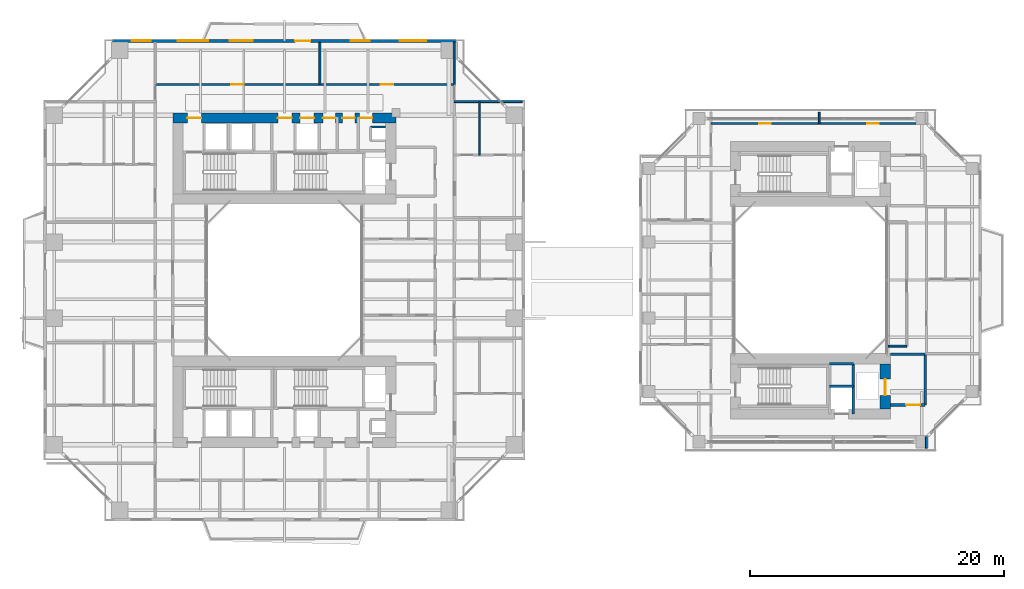
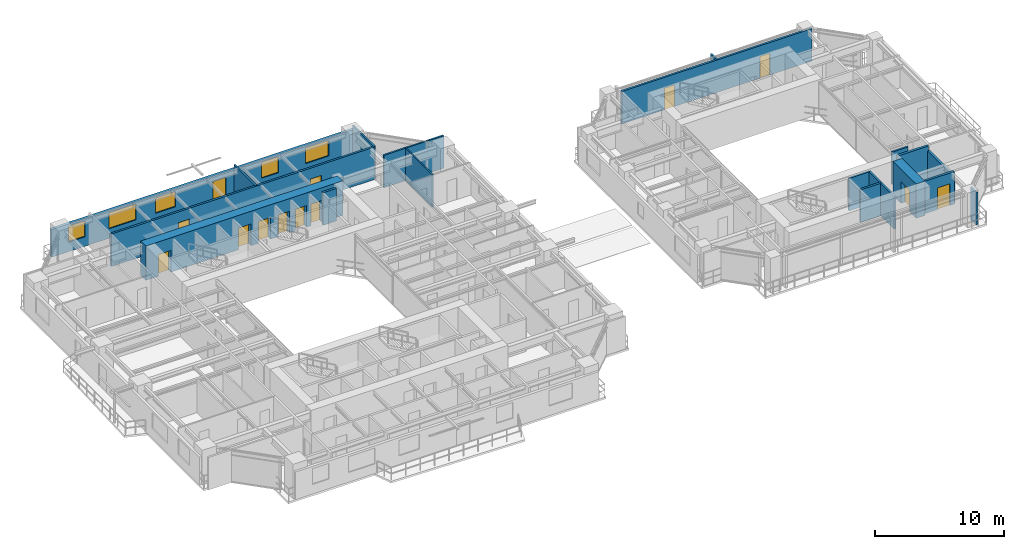
# One storey, part 16 of 23: 19 walls, 13 doors, 5 windows, 18 openings.
"""IFC4 building model written with IfcOpenShell, lengths in metres."""

from ifc_helpers import new_model, si_unit, direction, frame, frame_2d, origin, place, context, subcontext, project, spatial, rectangle, extrude, source, transform, mapped, material, layer, layer_set, type_object, element, fill, save


model = new_model("IFC4")

# Units and contexts
model_context = context("Model", 3, precision=1e-05, world=origin(), true_north=direction((0.0, 1.0)))
body_context = subcontext(model_context, "Body", "Model", "MODEL_VIEW")
ifc_project = project(units=[si_unit("LENGTHUNIT", "METRE"), si_unit("AREAUNIT", "SQUARE_METRE"), si_unit("VOLUMEUNIT", "CUBIC_METRE"), si_unit("PLANEANGLEUNIT", "RADIAN"), si_unit("MASSUNIT", "GRAM", prefix="KILO"), si_unit("THERMODYNAMICTEMPERATUREUNIT", "KELVIN"), si_unit("POWERUNIT", "WATT")], contexts=[model_context])

# Site, building, storey
site_placement = place(None, origin())
site = spatial("IfcSite", under=ifc_project, at=site_placement, CompositionType="ELEMENT")
building_placement = place(site_placement, origin())
building = spatial("IfcBuilding", under=site, at=building_placement, Name="Qiaomeng Ring Towers", CompositionType="ELEMENT")
storey_placement = place(building_placement, frame((0.0, 0.0, 50.25)))
storey = spatial("IfcBuildingStorey", under=building, at=storey_placement, Name="L13", CompositionType="ELEMENT", Elevation=50.25)

# Wall, openings, windows, door
ifc_material_1 = material(Name="Precast concrete C40", Category="concrete")
ifc_layer_1 = layer(ifc_material_1, 0.25, Name="Precast concrete C40")
ifc_layer_set_1 = layer_set([ifc_layer_1], Name="Precast concrete C40")
wall_type_1 = type_object("IfcWallType", Name="ARC-WL-EW1", PredefinedType="STANDARD", material=ifc_layer_set_1)
wall_1_placement = place(storey_placement, frame((5.449951171875, 41.875, 0.0), z_axis=(0.0, 0.0, 1.0), x_axis=(1.0, 0.0, 0.0)))
wall_1 = element("IfcWall", 1, at=wall_1_placement, inside=storey, type_object=wall_type_1, Name="L13 Tower 1 N Exterior Wall", PredefinedType="STANDARD", context=body_context, shape_type="SweptSolid", body=[
    extrude(rectangle(XDim=27.10009765625, YDim=0.25, at=frame_2d((13.550048828125, 0.0))), origin(), (0.0, 0.0, 1.0), 2.610107421875),
])
opening_1_placement = place(wall_1_placement, frame((14.39990234375, 0.0, 0.0)))
opening_1 = element("IfcOpeningElement", 2, at=opening_1_placement, cuts=wall_1, Name="Opening BD1", PredefinedType="OPENING", context=body_context, shape_type="SweptSolid", body=[
    extrude(rectangle(XDim=1.199951171875, YDim=2.10009765625, at=frame_2d((0.60009765625, 1.050048828125))), frame((0.0, 0.135009765625, 0.0), z_axis=(0.0, -1.0, 0.0), x_axis=(1.0, 0.0, 0.0)), (0.0, 0.0, 1.0), 0.27001953125),
])
opening_2_placement = place(wall_1_placement, frame((1.5, 0.0, 0.89990234375)))
opening_2 = element("IfcOpeningElement", 3, at=opening_2_placement, cuts=wall_1, Name="Opening WN2", PredefinedType="OPENING", context=body_context, shape_type="SweptSolid", body=[
    extrude(rectangle(XDim=1.5, YDim=1.5, at=frame_2d((0.75, 0.75))), frame((0.0, 0.135009765625, 0.0), z_axis=(0.0, -1.0, 0.0), x_axis=(1.0, 0.0, 0.0)), (0.0, 0.0, 1.0), 0.27001953125),
])
opening_3_placement = place(wall_1_placement, frame((9.262939453125, 0.0, 0.89990234375)))
opening_3 = element("IfcOpeningElement", 4, at=opening_3_placement, cuts=wall_1, Name="Opening WN1", PredefinedType="OPENING", context=body_context, shape_type="SweptSolid", body=[
    extrude(rectangle(XDim=1.800048828125, YDim=1.449951171875, at=frame_2d((0.89990234375, 0.72509765625))), frame((0.0, 0.135009765625, 0.0), z_axis=(0.0, -1.0, 0.0), x_axis=(1.0, 0.0, 0.0)), (0.0, 0.0, 1.0), 0.27001953125),
])
opening_4_placement = place(wall_1_placement, frame((18.77392578125, 0.0, 0.89990234375)))
opening_4 = element("IfcOpeningElement", 5, at=opening_4_placement, cuts=wall_1, Name="Opening WN2", PredefinedType="OPENING", context=body_context, shape_type="SweptSolid", body=[
    extrude(rectangle(XDim=1.5, YDim=1.5, at=frame_2d((0.75, 0.75))), frame((0.0, 0.135009765625, 0.0), z_axis=(0.0, -1.0, 0.0), x_axis=(1.0, 0.0, 0.0)), (0.0, 0.0, 1.0), 0.27001953125),
])
opening_5_placement = place(wall_1_placement, frame((22.6630859375, 0.0, 0.89990234375)))
opening_5 = element("IfcOpeningElement", 6, at=opening_5_placement, cuts=wall_1, Name="Opening WN4", PredefinedType="OPENING", context=body_context, shape_type="SweptSolid", body=[
    extrude(rectangle(XDim=2.10009765625, YDim=1.47998046875, at=frame_2d((1.050048828125, 0.739990234375))), frame((0.0, 0.135009765625, 0.0), z_axis=(0.0, -1.0, 0.0), x_axis=(1.0, 0.0, 0.0)), (0.0, 0.0, 1.0), 0.27001953125),
])
opening_6_placement = place(wall_1_placement, frame((5.134033203125, 0.0, 0.89990234375)))
opening_6 = element("IfcOpeningElement", 7, at=opening_6_placement, cuts=wall_1, Name="Opening WN6", PredefinedType="OPENING", context=body_context, shape_type="SweptSolid", body=[
    extrude(rectangle(XDim=2.39990234375, YDim=1.5, at=frame_2d((1.199951171875, 0.75))), frame((0.0, 0.135009765625, 0.0), z_axis=(0.0, -1.0, 0.0), x_axis=(1.0, 0.0, 0.0)), (0.0, 0.0, 1.0), 0.27001953125),
])
ifc_material_2 = material(Name="Low-E dark-grey laminated double glazing", Category="glass")
window_type_1 = type_object("IfcWindowType", Name="ARC-WN-4", PartitioningType="TRIPLE_PANEL_VERTICAL", PredefinedType="WINDOW", material=ifc_material_2)
shared_shape_1 = source(origin(), body_context, "Body", "SweptSolid", [
    extrude(rectangle(XDim=2.10009765625, YDim=1.47998046875, at=frame_2d((1.050048828125, 0.739990234375))), frame((0.0, 0.030029296875, 0.0), z_axis=(0.0, -1.0, 0.0), x_axis=(1.0, 0.0, 0.0)), (0.0, 0.0, 1.0), 0.06005859375),
])
window_1_placement = place(opening_5_placement, origin())
window_1 = element("IfcWindow", 8, at=window_1_placement, inside=storey, type_object=window_type_1, Name="L13 Exterior Window WN4", OverallHeight=1.47998046875, OverallWidth=2.10009765625, PartitioningType="TRIPLE_PANEL_VERTICAL", PredefinedType="WINDOW", context=body_context, shape_type="MappedRepresentation", body=[
    mapped(shared_shape_1, transform((0.0, 0.0, 0.0), x_axis=(1.0, 0.0, 0.0), y_axis=(0.0, 1.0, 0.0), z_axis=(0.0, 0.0, 1.0), scale=1.0)),
])
fill(opening_5, window_1)
window_type_2 = type_object("IfcWindowType", Name="ARC-WN-1", PartitioningType="DOUBLE_PANEL_VERTICAL", PredefinedType="WINDOW", material=ifc_material_2)
shared_shape_2 = source(origin(), body_context, "Body", "SweptSolid", [
    extrude(rectangle(XDim=1.800048828125, YDim=1.449951171875, at=frame_2d((0.89990234375, 0.72509765625))), frame((0.0, 0.030029296875, 0.0), z_axis=(0.0, -1.0, 0.0), x_axis=(1.0, 0.0, 0.0)), (0.0, 0.0, 1.0), 0.06005859375),
])
window_2_placement = place(opening_3_placement, origin())
window_2 = element("IfcWindow", 9, at=window_2_placement, inside=storey, type_object=window_type_2, Name="L13 Exterior Window WN1", OverallHeight=1.449951171875, OverallWidth=1.800048828125, PartitioningType="DOUBLE_PANEL_VERTICAL", PredefinedType="WINDOW", context=body_context, shape_type="MappedRepresentation", body=[
    mapped(shared_shape_2, transform((0.0, 0.0, 0.0), x_axis=(1.0, 0.0, 0.0), y_axis=(0.0, 1.0, 0.0), z_axis=(0.0, 0.0, 1.0), scale=1.0)),
])
fill(opening_3, window_2)
door_type_1 = type_object("IfcDoorType", Name="ARC-DR-BD1", OperationType="NOTDEFINED", PredefinedType="DOOR", material=ifc_material_2)
shared_shape_3 = source(origin(), body_context, "Body", "SweptSolid", [
    extrude(rectangle(XDim=1.199951171875, YDim=2.10009765625, at=frame_2d((0.60009765625, 1.050048828125))), frame((0.0, 0.02490234375, 0.0), z_axis=(0.0, -1.0, 0.0), x_axis=(1.0, 0.0, 0.0)), (0.0, 0.0, 1.0), 0.050048828125),
])
door_1_placement = place(opening_1_placement, origin())
door_1 = element("IfcDoor", 10, at=door_1_placement, inside=storey, type_object=door_type_1, Name="L13 N Balcony Glazed Door", OperationType="SINGLE_SWING_LEFT", OverallHeight=2.10009765625, OverallWidth=1.199951171875, PredefinedType="DOOR", context=body_context, shape_type="MappedRepresentation", body=[
    mapped(shared_shape_3, transform((0.0, 0.0, 0.0), x_axis=(1.0, 0.0, 0.0), y_axis=(0.0, 1.0, 0.0), z_axis=(0.0, 0.0, 1.0), scale=1.0)),
])
fill(opening_1, door_1)
window_type_3 = type_object("IfcWindowType", Name="ARC-WN-2", PartitioningType="DOUBLE_PANEL_VERTICAL", PredefinedType="WINDOW", material=ifc_material_2)
shared_shape_4 = source(origin(), body_context, "Body", "SweptSolid", [
    extrude(rectangle(XDim=1.5, YDim=1.5, at=frame_2d((0.75, 0.75))), frame((0.0, 0.030029296875, 0.0), z_axis=(0.0, -1.0, 0.0), x_axis=(1.0, 0.0, 0.0)), (0.0, 0.0, 1.0), 0.06005859375),
])
window_3_placement = place(opening_2_placement, origin())
window_3 = element("IfcWindow", 11, at=window_3_placement, inside=storey, type_object=window_type_3, Name="L13 Exterior Window WN6", OverallHeight=1.5, OverallWidth=1.5, PartitioningType="TRIPLE_PANEL_VERTICAL", PredefinedType="WINDOW", context=body_context, shape_type="MappedRepresentation", body=[
    mapped(shared_shape_4, transform((0.0, 0.0, 0.0), x_axis=(1.0, 0.0, 0.0), y_axis=(0.0, 1.0, 0.0), z_axis=(0.0, 0.0, 1.0), scale=1.0)),
])
fill(opening_2, window_3)
window_4_placement = place(opening_4_placement, origin())
window_4 = element("IfcWindow", 12, at=window_4_placement, inside=storey, type_object=window_type_3, Name="L13 Exterior Window WN2", OverallHeight=1.5, OverallWidth=1.5, PartitioningType="DOUBLE_PANEL_VERTICAL", PredefinedType="WINDOW", context=body_context, shape_type="MappedRepresentation", body=[
    mapped(shared_shape_4, transform((0.0, 0.0, 0.0), x_axis=(1.0, 0.0, 0.0), y_axis=(0.0, 1.0, 0.0), z_axis=(0.0, 0.0, 1.0), scale=1.0)),
])
fill(opening_4, window_4)
window_type_4 = type_object("IfcWindowType", Name="ARC-WN-6", PartitioningType="TRIPLE_PANEL_VERTICAL", PredefinedType="WINDOW", material=ifc_material_2)
shared_shape_5 = source(origin(), body_context, "Body", "SweptSolid", [
    extrude(rectangle(XDim=2.39990234375, YDim=1.5, at=frame_2d((1.199951171875, 0.75))), frame((0.0, 0.030029296875, 0.0), z_axis=(0.0, -1.0, 0.0), x_axis=(1.0, 0.0, 0.0)), (0.0, 0.0, 1.0), 0.06005859375),
])
window_5_placement = place(opening_6_placement, origin())
window_5 = element("IfcWindow", 13, at=window_5_placement, inside=storey, type_object=window_type_4, Name="L13 Exterior Window WN6", OverallHeight=1.5, OverallWidth=2.39990234375, PartitioningType="TRIPLE_PANEL_VERTICAL", PredefinedType="WINDOW", context=body_context, shape_type="MappedRepresentation", body=[
    mapped(shared_shape_5, transform((0.0, 0.0, 0.0), x_axis=(1.0, 0.0, 0.0), y_axis=(0.0, 1.0, 0.0), z_axis=(0.0, 0.0, 1.0), scale=1.0)),
])
fill(opening_6, window_5)

# Walls
ifc_material_3 = material(Name="Autoclaved aerated concrete block", Category="concrete")
ifc_layer_2 = layer(ifc_material_3, 0.199951171875, Name="Autoclaved aerated concrete block")
ifc_layer_set_2 = layer_set([ifc_layer_2], Name="Autoclaved aerated concrete block")
wall_type_2 = type_object("IfcWallType", Name="ARC-WL-PW1", PredefinedType="PARTITIONING", material=ifc_layer_set_2)
wall_2_placement = place(storey_placement, frame((66.800048828125, 17.14990234375, 0.0), z_axis=(0.0, 0.0, 1.0), x_axis=(1.0, 0.0, 0.0)))
element("IfcWall", 14, at=wall_2_placement, inside=storey, type_object=wall_type_2, Name="L13 Interior Wall PW1", PredefinedType="PARTITIONING", context=body_context, shape_type="SweptSolid", body=[
    extrude(rectangle(XDim=2.75, YDim=0.199951171875, at=frame_2d((1.375, 0.0))), origin(), (0.0, 0.0, 1.0), 3.070068359375),
])
wall_3_placement = place(storey_placement, frame((69.550048828125, 13.14990234375, 0.0), z_axis=(0.0, 0.0, 1.0), x_axis=(0.0, 1.0, 0.0)))
element("IfcWall", 15, at=wall_3_placement, inside=storey, type_object=wall_type_2, Name="L13 Interior Wall PW1", PredefinedType="PARTITIONING", context=body_context, shape_type="SweptSolid", body=[
    extrude(rectangle(XDim=4.0, YDim=0.199951171875, at=frame_2d((2.0, 0.0))), origin(), (0.0, 0.0, 1.0), 2.614990234375),
])

# Wall, opening, door
wall_4_placement = place(storey_placement, frame((66.800048828125, 13.14990234375, 0.0), z_axis=(0.0, 0.0, 1.0), x_axis=(1.0, 0.0, 0.0)))
wall_4 = element("IfcWall", 16, at=wall_4_placement, inside=storey, type_object=wall_type_2, Name="L13 Interior Wall PW1", PredefinedType="PARTITIONING", context=body_context, shape_type="SweptSolid", body=[
    extrude(rectangle(XDim=2.75, YDim=0.199951171875, at=frame_2d((1.375, 0.0))), origin(), (0.0, 0.0, 1.0), 3.070068359375),
])
opening_7_placement = place(wall_4_placement, frame((1.25, 0.0, 0.0)))
opening_7 = element("IfcOpeningElement", 17, at=opening_7_placement, cuts=wall_4, Name="Opening FD3", PredefinedType="OPENING", context=body_context, shape_type="SweptSolid", body=[
    extrude(rectangle(XDim=1.10009765625, YDim=2.050048828125, at=frame_2d((0.550048828125, 1.02490234375))), frame((0.0, 0.10986328125, 0.0), z_axis=(0.0, -1.0, 0.0), x_axis=(1.0, 0.0, 0.0)), (0.0, 0.0, 1.0), 0.219970703125),
])
ifc_material_4 = material(Name="Galvanised steel", Category="steel")
door_type_2 = type_object("IfcDoorType", Name="ARC-DR-FD3", OperationType="NOTDEFINED", PredefinedType="DOOR", material=ifc_material_4)
shared_shape_6 = source(origin(), body_context, "Body", "SweptSolid", [
    extrude(rectangle(XDim=1.10009765625, YDim=2.050048828125, at=frame_2d((0.550048828125, 1.02490234375))), frame((0.0, 0.02490234375, 0.0), z_axis=(0.0, -1.0, 0.0), x_axis=(1.0, 0.0, 0.0)), (0.0, 0.0, 1.0), 0.050048828125),
])
door_2_placement = place(opening_7_placement, origin())
door_2 = element("IfcDoor", 18, at=door_2_placement, inside=storey, type_object=door_type_2, Name="L13 Door FD3", OperationType="SINGLE_SWING_LEFT", OverallHeight=2.050048828125, OverallWidth=1.10009765625, PredefinedType="DOOR", context=body_context, shape_type="MappedRepresentation", body=[
    mapped(shared_shape_6, transform((0.0, 0.0, 0.0), x_axis=(1.0, 0.0, 0.0), y_axis=(0.0, 1.0, 0.0), z_axis=(0.0, 0.0, 1.0), scale=1.0)),
])
fill(opening_7, door_2)

# Wall, openings, doors
ifc_layer_3 = layer(ifc_material_3, 0.179931640625, Name="Autoclaved aerated concrete block")
ifc_layer_set_3 = layer_set([ifc_layer_3], Name="Autoclaved aerated concrete block")
wall_type_3 = type_object("IfcWallType", Name="ARC-WL-PW2", PredefinedType="PARTITIONING", material=ifc_layer_set_3)
wall_5_placement = place(storey_placement, frame((8.820068359375, 38.43994140625, 0.0), z_axis=(0.0, 0.0, 1.0), x_axis=(1.0, 0.0, 0.0)))
wall_5 = element("IfcWall", 19, at=wall_5_placement, inside=storey, type_object=wall_type_3, Name="L13 Interior Wall PW2", PredefinedType="PARTITIONING", context=body_context, shape_type="SweptSolid", body=[
    extrude(rectangle(XDim=23.579833984375, YDim=0.179931640625, at=frame_2d((11.7900390625, 0.0))), origin(), (0.0, 0.0, 1.0), 3.070068359375),
])
opening_8_placement = place(wall_5_placement, frame((5.989990234375, 0.0, 0.0)))
opening_8 = element("IfcOpeningElement", 20, at=opening_8_placement, cuts=wall_5, Name="Opening FD4", PredefinedType="OPENING", context=body_context, shape_type="SweptSolid", body=[
    extrude(rectangle(XDim=1.0, YDim=2.050048828125, at=frame_2d((0.5, 1.02490234375))), frame((0.0, 0.099853515625, 0.0), z_axis=(0.0, -1.0, 0.0), x_axis=(1.0, 0.0, 0.0)), (0.0, 0.0, 1.0), 0.199951171875),
])
opening_9_placement = place(wall_5_placement, frame((17.780029296875, 0.0, 0.0)))
opening_9 = element("IfcOpeningElement", 21, at=opening_9_placement, cuts=wall_5, Name="Opening FD4", PredefinedType="OPENING", context=body_context, shape_type="SweptSolid", body=[
    extrude(rectangle(XDim=1.0, YDim=2.050048828125, at=frame_2d((0.5, 1.02490234375))), frame((0.0, 0.099853515625, 0.0), z_axis=(0.0, -1.0, 0.0), x_axis=(1.0, 0.0, 0.0)), (0.0, 0.0, 1.0), 0.199951171875),
])
ifc_material_5 = material(Name="Engineered fire-rated oak timber", Category="wood")
door_type_3 = type_object("IfcDoorType", Name="ARC-DR-FD4", OperationType="NOTDEFINED", PredefinedType="DOOR", material=ifc_material_5)
shared_shape_7 = source(origin(), body_context, "Body", "SweptSolid", [
    extrude(rectangle(XDim=1.0, YDim=2.050048828125, at=frame_2d((0.5, 1.02490234375))), frame((0.0, 0.02490234375, 0.0), z_axis=(0.0, -1.0, 0.0), x_axis=(1.0, 0.0, 0.0)), (0.0, 0.0, 1.0), 0.050048828125),
])
door_3_placement = place(opening_8_placement, origin())
door_3 = element("IfcDoor", 22, at=door_3_placement, inside=storey, type_object=door_type_3, Name="L13 Door FD4", OperationType="SINGLE_SWING_LEFT", OverallHeight=2.050048828125, OverallWidth=1.0, PredefinedType="DOOR", context=body_context, shape_type="MappedRepresentation", body=[
    mapped(shared_shape_7, transform((0.0, 0.0, 0.0), x_axis=(1.0, 0.0, 0.0), y_axis=(0.0, 1.0, 0.0), z_axis=(0.0, 0.0, 1.0), scale=1.0)),
])
fill(opening_8, door_3)
door_4_placement = place(opening_9_placement, origin())
door_4 = element("IfcDoor", 23, at=door_4_placement, inside=storey, type_object=door_type_3, Name="L13 Door FD4", OperationType="SINGLE_SWING_RIGHT", OverallHeight=2.050048828125, OverallWidth=1.0, PredefinedType="DOOR", context=body_context, shape_type="MappedRepresentation", body=[
    mapped(shared_shape_7, transform((0.0, 0.0, 0.0), x_axis=(1.0, 0.0, 0.0), y_axis=(0.0, 1.0, 0.0), z_axis=(0.0, 0.0, 1.0), scale=1.0)),
])
fill(opening_9, door_4)

wall_6_placement = place(storey_placement, frame((52.64990234375, 35.35009765625, 0.0), z_axis=(0.0, 0.0, 1.0), x_axis=(1.0, 0.0, 0.0)))
wall_6 = element("IfcWall", 24, at=wall_6_placement, inside=storey, type_object=wall_type_3, Name="L13 Interior Wall PW2", PredefinedType="PARTITIONING", context=body_context, shape_type="SweptSolid", body=[
    extrude(rectangle(XDim=17.0, YDim=0.179931640625, at=frame_2d((8.5, 0.0))), origin(), (0.0, 0.0, 1.0), 3.070068359375),
])
opening_10_placement = place(wall_6_placement, frame((3.824951171875, 0.0, 0.0)))
opening_10 = element("IfcOpeningElement", 25, at=opening_10_placement, cuts=wall_6, Name="Opening ID1", PredefinedType="OPENING", context=body_context, shape_type="SweptSolid", body=[
    extrude(rectangle(XDim=0.89990234375, YDim=2.050048828125, at=frame_2d((0.449951171875, 1.02490234375))), frame((0.0, 0.099853515625, 0.0), z_axis=(0.0, -1.0, 0.0), x_axis=(1.0, 0.0, 0.0)), (0.0, 0.0, 1.0), 0.199951171875),
])
opening_11_placement = place(wall_6_placement, frame((12.324951171875, 0.0, 0.0)))
opening_11 = element("IfcOpeningElement", 26, at=opening_11_placement, cuts=wall_6, Name="Opening ID1", PredefinedType="OPENING", context=body_context, shape_type="SweptSolid", body=[
    extrude(rectangle(XDim=0.89990234375, YDim=2.050048828125, at=frame_2d((0.449951171875, 1.02490234375))), frame((0.0, 0.099853515625, 0.0), z_axis=(0.0, -1.0, 0.0), x_axis=(1.0, 0.0, 0.0)), (0.0, 0.0, 1.0), 0.199951171875),
])
ifc_material_6 = material(Name="Engineered oak timber", Category="wood")
door_type_4 = type_object("IfcDoorType", Name="ARC-DR-ID1", OperationType="NOTDEFINED", PredefinedType="DOOR", material=ifc_material_6)
shared_shape_8 = source(origin(), body_context, "Body", "SweptSolid", [
    extrude(rectangle(XDim=0.89990234375, YDim=2.050048828125, at=frame_2d((0.449951171875, 1.02490234375))), frame((0.0, 0.02490234375, 0.0), z_axis=(0.0, -1.0, 0.0), x_axis=(1.0, 0.0, 0.0)), (0.0, 0.0, 1.0), 0.050048828125),
])
door_5_placement = place(opening_10_placement, origin())
door_5 = element("IfcDoor", 27, at=door_5_placement, inside=storey, type_object=door_type_4, Name="L13 Door ID1", OperationType="SINGLE_SWING_LEFT", OverallHeight=2.050048828125, OverallWidth=0.89990234375, PredefinedType="DOOR", context=body_context, shape_type="MappedRepresentation", body=[
    mapped(shared_shape_8, transform((0.0, 0.0, 0.0), x_axis=(1.0, 0.0, 0.0), y_axis=(0.0, 1.0, 0.0), z_axis=(0.0, 0.0, 1.0), scale=1.0)),
])
fill(opening_10, door_5)
door_6_placement = place(opening_11_placement, origin())
door_6 = element("IfcDoor", 28, at=door_6_placement, inside=storey, type_object=door_type_4, Name="L13 Door ID1", OperationType="SINGLE_SWING_RIGHT", OverallHeight=2.050048828125, OverallWidth=0.89990234375, PredefinedType="DOOR", context=body_context, shape_type="MappedRepresentation", body=[
    mapped(shared_shape_8, transform((0.0, 0.0, 0.0), x_axis=(1.0, 0.0, 0.0), y_axis=(0.0, 1.0, 0.0), z_axis=(0.0, 0.0, 1.0), scale=1.0)),
])
fill(opening_11, door_6)

# Walls
ifc_material_7 = material(Name="Gypsum fireboard steel-stud partition", Category="steel")
ifc_layer_4 = layer(ifc_material_7, 0.14990234375, Name="Gypsum fireboard steel-stud partition")
ifc_layer_set_4 = layer_set([ifc_layer_4], Name="Gypsum fireboard steel-stud partition")
wall_type_4 = type_object("IfcWallType", Name="ARC-WL-PW3", PredefinedType="PARTITIONING", material=ifc_layer_set_4)
for number, where, z_axis, x_axis, name in (
    (29, (21.800048828125, 38.43994140625, 0.0), (0.0, 0.0, 1.0), (0.0, 1.0, 0.0), "L13 Interior Wall PW3"),
    (30, (32.39990234375, 38.43994140625, 0.0), (0.0, 0.0, 1.0), (0.0, 1.0, 0.0), "L13 Interior Wall PW3"),
):
    element("IfcWall", number, at=place(storey_placement, frame(where, z_axis=z_axis, x_axis=x_axis)), inside=storey, type_object=wall_type_4, Name=name, PredefinedType="PARTITIONING", context=body_context, shape_type="SweptSolid", body=[
        extrude(rectangle(XDim=3.31005859375, YDim=0.14990234375, at=frame_2d((1.655029296875, 0.0))), origin(), (0.0, 0.0, 1.0), 3.070068359375),
    ])
wall_7_placement = place(storey_placement, frame((32.39990234375, 37.080078125, 0.0), z_axis=(0.0, 0.0, 1.0), x_axis=(1.0, 0.0, 0.0)))
element("IfcWall", 31, at=wall_7_placement, inside=storey, type_object=wall_type_4, Name="L13 Interior Wall PW3", PredefinedType="PARTITIONING", context=body_context, shape_type="SweptSolid", body=[
    extrude(rectangle(XDim=5.35009765625, YDim=0.14990234375, at=frame_2d((2.675048828125, 0.0))), origin(), (0.0, 0.0, 1.0), 3.070068359375),
])
wall_8_placement = place(storey_placement, frame((66.64990234375, 17.800048828125, 0.0), z_axis=(0.0, 0.0, 1.0), x_axis=(1.0, 0.0, 0.0)))
element("IfcWall", 32, at=wall_8_placement, inside=storey, type_object=wall_type_4, Name="L13 Interior Wall PW3", PredefinedType="PARTITIONING", context=body_context, shape_type="SweptSolid", body=[
    extrude(rectangle(XDim=1.4501953125, YDim=0.14990234375, at=frame_2d((0.72509765625, 0.0))), origin(), (0.0, 0.0, 1.0), 3.070068359375),
])
for number, where, z_axis, x_axis, name in (
    (33, (61.199951171875, 35.35009765625, 0.0), (0.0, 0.0, 1.0), (0.0, 1.0, 0.0), "L13 Interior Wall PW3"),
    (34, (69.64990234375, 9.75, 0.0), (0.0, 0.0, 1.0), (0.0, 1.0, 0.0), "L13 Interior Wall PW3"),
):
    element("IfcWall", number, at=place(storey_placement, frame(where, z_axis=z_axis, x_axis=x_axis)), inside=storey, type_object=wall_type_4, Name=name, PredefinedType="PARTITIONING", context=body_context, shape_type="SweptSolid", body=[
        extrude(rectangle(XDim=0.89990234375, YDim=0.14990234375, at=frame_2d((0.449951171875, 0.0))), origin(), (0.0, 0.0, 1.0), 3.070068359375),
    ])
ifc_material_8 = material(Name="Moisture-resistant gypsum steel-stud partition", Category="steel")
ifc_layer_5 = layer(ifc_material_8, 0.1201171875, Name="Moisture-resistant gypsum steel-stud partition")
ifc_layer_set_5 = layer_set([ifc_layer_5], Name="Moisture-resistant gypsum steel-stud partition")
wall_type_5 = type_object("IfcWallType", Name="ARC-WL-PW4", PredefinedType="PLUMBINGWALL", material=ifc_layer_set_5)
wall_9_placement = place(storey_placement, frame((34.3798828125, 32.8701171875, 0.0), z_axis=(0.0, 0.0, 1.0), x_axis=(0.0, 1.0, 0.0)))
element("IfcWall", 35, at=wall_9_placement, inside=storey, type_object=wall_type_5, Name="L13 Interior Wall PW4", PredefinedType="PLUMBINGWALL", context=body_context, shape_type="SweptSolid", body=[
    extrude(rectangle(XDim=4.2099609375, YDim=0.1201171875, at=frame_2d((2.10498046875, 0.0))), origin(), (0.0, 0.0, 1.0), 3.070068359375),
])
ifc_material_9 = material(Name="Concrete C40", Category="concrete")
ifc_layer_6 = layer(ifc_material_9, 0.199951171875, Name="Concrete C40")
ifc_layer_set_6 = layer_set([ifc_layer_6], Name="Concrete C40")
wall_type_6 = type_object("IfcWallType", Name="STR-WL-STSHAFT", PredefinedType="SHEAR", material=ifc_layer_set_6)
wall_10_placement = place(storey_placement, frame((25.800048828125, 35.080078125, 0.0), z_axis=(0.0, 0.0, 1.0), x_axis=(1.0, 0.0, 0.0)))
element("IfcWall", 36, at=wall_10_placement, inside=storey, type_object=wall_type_6, Name="L13 Riser RSR1 North Shaft Wall N", PredefinedType="SHEAR", context=body_context, shape_type="SweptSolid", body=[
    extrude(rectangle(XDim=1.199951171875, YDim=0.179931640625, at=frame_2d((0.60009765625, 0.0))), origin(), (0.0, 0.0, 1.0), 3.070068359375),
])
wall_11_placement = place(storey_placement, frame((63.8798828125, 12.449951171875, 0.0), z_axis=(0.0, 0.0, 1.0), x_axis=(0.0, 1.0, 0.0)))
element("IfcWall", 37, at=wall_11_placement, inside=storey, type_object=wall_type_6, Name="L13 Companion Lift Shaft East Wall S", PredefinedType="SHEAR", context=body_context, shape_type="SweptSolid", body=[
    extrude(rectangle(XDim=3.949951171875, YDim=0.179931640625, at=frame_2d((1.97509765625, 0.0))), origin(), (0.0, 0.0, 1.0), 3.070068359375),
])
for number, where, z_axis, x_axis, name in (
    (38, (62.02001953125, 14.6201171875, 0.0), (0.0, 0.0, 1.0), (1.0, 0.0, 0.0), "L13 Companion Lift Shaft Divider Wall S"),
    (39, (62.02001953125, 16.39990234375, 0.0), (0.0, 0.0, 1.0), (1.0, 0.0, 0.0), "L13 Companion Riser Shaft Back Wall S"),
):
    element("IfcWall", number, at=place(storey_placement, frame(where, z_axis=z_axis, x_axis=x_axis)), inside=storey, type_object=wall_type_6, Name=name, PredefinedType="SHEAR", context=body_context, shape_type="SweptSolid", body=[
        extrude(rectangle(XDim=1.85986328125, YDim=0.179931640625, at=frame_2d((0.929931640625, 0.0))), origin(), (0.0, 0.0, 1.0), 3.070068359375),
    ])

# Wall, openings, doors
ifc_material_10 = material(Name="Concrete C60", Category="concrete")
ifc_layer_7 = layer(ifc_material_10, 0.800048828125, Name="Concrete C60")
ifc_layer_set_7 = layer_set([ifc_layer_7], Name="Concrete C60")
wall_type_7 = type_object("IfcWallType", Name="STR-WL-SW1", PredefinedType="SHEAR", material=ifc_layer_set_7)
wall_12_placement = place(storey_placement, frame((10.199951171875, 35.800048828125, 0.0), z_axis=(0.0, 0.0, 1.0), x_axis=(1.0, 0.0, 0.0)))
wall_12 = element("IfcWall", 40, at=wall_12_placement, inside=storey, type_object=wall_type_7, Name="L13 T1NC north core shear wall", PredefinedType="SHEAR", context=body_context, shape_type="SweptSolid", body=[
    extrude(rectangle(XDim=17.60009765625, YDim=0.800048828125, at=frame_2d((8.800048828125, 0.0))), origin(), (0.0, 0.0, 1.0), 3.25),
])
opening_12_placement = place(wall_12_placement, frame((1.14990234375, 0.0, 0.0)))
opening_12 = element("IfcOpeningElement", 41, at=opening_12_placement, cuts=wall_12, Name="Opening FD3", PredefinedType="OPENING", context=body_context, shape_type="SweptSolid", body=[
    extrude(rectangle(XDim=1.10009765625, YDim=2.050048828125, at=frame_2d((0.550048828125, 1.02490234375))), frame((0.0, 0.409912109375, 0.0), z_axis=(0.0, -1.0, 0.0), x_axis=(1.0, 0.0, 0.0)), (0.0, 0.0, 1.0), 0.820068359375),
])
opening_13_placement = place(wall_12_placement, frame((8.300048828125, 0.0, 0.0)))
opening_13 = element("IfcOpeningElement", 42, at=opening_13_placement, cuts=wall_12, Name="Opening FD3", PredefinedType="OPENING", context=body_context, shape_type="SweptSolid", body=[
    extrude(rectangle(XDim=1.10009765625, YDim=2.050048828125, at=frame_2d((0.550048828125, 1.02490234375))), frame((0.0, 0.409912109375, 0.0), z_axis=(0.0, -1.0, 0.0), x_axis=(1.0, 0.0, 0.0)), (0.0, 0.0, 1.0), 0.820068359375),
])
opening_14_placement = place(wall_12_placement, frame((10.050048828125, 0.0, 0.0)))
opening_14 = element("IfcOpeningElement", 43, at=opening_14_placement, cuts=wall_12, Name="Opening LD1", PredefinedType="OPENING", context=body_context, shape_type="SweptSolid", body=[
    extrude(rectangle(XDim=1.10009765625, YDim=2.050048828125, at=frame_2d((0.550048828125, 1.02490234375))), frame((0.0, 0.409912109375, 0.0), z_axis=(0.0, -1.0, 0.0), x_axis=(1.0, 0.0, 0.0)), (0.0, 0.0, 1.0), 0.820068359375),
])
opening_15_placement = place(wall_12_placement, frame((14.739990234375, 0.0, 0.0)))
opening_15 = element("IfcOpeningElement", 44, at=opening_15_placement, cuts=wall_12, Name="Opening FD1", PredefinedType="OPENING", context=body_context, shape_type="SweptSolid", body=[
    extrude(rectangle(XDim=1.0, YDim=2.050048828125, at=frame_2d((0.5, 1.02490234375))), frame((0.0, 0.409912109375, 0.0), z_axis=(0.0, -1.0, 0.0), x_axis=(1.0, 0.0, 0.0)), (0.0, 0.0, 1.0), 0.820068359375),
])
opening_16_placement = place(wall_12_placement, frame((11.8349609375, 0.0, 0.0)))
opening_16 = element("IfcOpeningElement", 45, at=opening_16_placement, cuts=wall_12, Name="Opening FD1", PredefinedType="OPENING", context=body_context, shape_type="SweptSolid", body=[
    extrude(rectangle(XDim=1.0, YDim=2.050048828125, at=frame_2d((0.5, 1.02490234375))), frame((0.0, 0.409912109375, 0.0), z_axis=(0.0, -1.0, 0.0), x_axis=(1.0, 0.0, 0.0)), (0.0, 0.0, 1.0), 0.820068359375),
])
opening_17_placement = place(wall_12_placement, frame((13.3701171875, 0.0, 0.0)))
opening_17 = element("IfcOpeningElement", 46, at=opening_17_placement, cuts=wall_12, Name="Opening FD1", PredefinedType="OPENING", context=body_context, shape_type="SweptSolid", body=[
    extrude(rectangle(XDim=1.0, YDim=2.050048828125, at=frame_2d((0.5, 1.02490234375))), frame((0.0, 0.409912109375, 0.0), z_axis=(0.0, -1.0, 0.0), x_axis=(1.0, 0.0, 0.0)), (0.0, 0.0, 1.0), 0.820068359375),
])
door_7_placement = place(opening_12_placement, origin())
door_7 = element("IfcDoor", 47, at=door_7_placement, inside=storey, type_object=door_type_2, Name="L13 Stair ST1 Lobby Door", OperationType="SINGLE_SWING_RIGHT", OverallHeight=2.050048828125, OverallWidth=1.10009765625, PredefinedType="DOOR", context=body_context, shape_type="MappedRepresentation", body=[
    mapped(shared_shape_6, transform((0.0, 0.0, 0.0), x_axis=(1.0, 0.0, 0.0), y_axis=(0.0, 1.0, 0.0), z_axis=(0.0, 0.0, 1.0), scale=1.0)),
])
fill(opening_12, door_7)
door_8_placement = place(opening_13_placement, origin())
door_8 = element("IfcDoor", 48, at=door_8_placement, inside=storey, type_object=door_type_2, Name="L13 Stair ST2 Lobby Door", OperationType="SINGLE_SWING_RIGHT", OverallHeight=2.050048828125, OverallWidth=1.10009765625, PredefinedType="DOOR", context=body_context, shape_type="MappedRepresentation", body=[
    mapped(shared_shape_6, transform((0.0, 0.0, 0.0), x_axis=(1.0, 0.0, 0.0), y_axis=(0.0, 1.0, 0.0), z_axis=(0.0, 0.0, 1.0), scale=1.0)),
])
fill(opening_13, door_8)
ifc_material_11 = material(Name="Stainless steel 316", Category="steel")
door_type_5 = type_object("IfcDoorType", Name="ARC-DR-LD1", OperationType="NOTDEFINED", PredefinedType="DOOR", material=ifc_material_11)
door_9_placement = place(opening_14_placement, origin())
door_9 = element("IfcDoor", 49, at=door_9_placement, inside=storey, type_object=door_type_5, Name="L13 Low-Zone Lift LP1 Landing Door", OperationType="SLIDING_TO_LEFT", OverallHeight=2.050048828125, OverallWidth=1.10009765625, PredefinedType="DOOR", context=body_context, shape_type="MappedRepresentation", body=[
    mapped(shared_shape_6, transform((0.0, 0.0, 0.0), x_axis=(1.0, 0.0, 0.0), y_axis=(0.0, 1.0, 0.0), z_axis=(0.0, 0.0, 1.0), scale=1.0)),
])
fill(opening_14, door_9)
door_type_6 = type_object("IfcDoorType", Name="ARC-DR-FD1", OperationType="NOTDEFINED", PredefinedType="DOOR", material=ifc_material_4)
door_10_placement = place(opening_15_placement, origin())
door_10 = element("IfcDoor", 50, at=door_10_placement, inside=storey, type_object=door_type_6, Name="L13 North Electrical Riser Door", OperationType="SINGLE_SWING_RIGHT", OverallHeight=2.050048828125, OverallWidth=1.0, PredefinedType="DOOR", context=body_context, shape_type="MappedRepresentation", body=[
    mapped(shared_shape_7, transform((0.0, 0.0, 0.0), x_axis=(1.0, 0.0, 0.0), y_axis=(0.0, 1.0, 0.0), z_axis=(0.0, 0.0, 1.0), scale=1.0)),
])
fill(opening_15, door_10)
door_11_placement = place(opening_16_placement, origin())
door_11 = element("IfcDoor", 51, at=door_11_placement, inside=storey, type_object=door_type_6, Name="L13 North Cleaners Store Door", OperationType="SINGLE_SWING_RIGHT", OverallHeight=2.050048828125, OverallWidth=1.0, PredefinedType="DOOR", context=body_context, shape_type="MappedRepresentation", body=[
    mapped(shared_shape_7, transform((0.0, 0.0, 0.0), x_axis=(1.0, 0.0, 0.0), y_axis=(0.0, 1.0, 0.0), z_axis=(0.0, 0.0, 1.0), scale=1.0)),
])
fill(opening_16, door_11)
door_12_placement = place(opening_17_placement, origin())
door_12 = element("IfcDoor", 52, at=door_12_placement, inside=storey, type_object=door_type_6, Name="L13 North Beverage Pantry Door", OperationType="SINGLE_SWING_LEFT", OverallHeight=2.050048828125, OverallWidth=1.0, PredefinedType="DOOR", context=body_context, shape_type="MappedRepresentation", body=[
    mapped(shared_shape_7, transform((0.0, 0.0, 0.0), x_axis=(1.0, 0.0, 0.0), y_axis=(0.0, 1.0, 0.0), z_axis=(0.0, 0.0, 1.0), scale=1.0)),
])
fill(opening_17, door_12)

# Wall, opening, door
wall_13_placement = place(storey_placement, frame((66.39990234375, 12.85009765625, 0.0), z_axis=(0.0, 0.0, 1.0), x_axis=(0.0, 1.0, 0.0)))
wall_13 = element("IfcWall", 53, at=wall_13_placement, inside=storey, type_object=wall_type_7, Name="L13 T2SC east core shear wall", PredefinedType="SHEAR", context=body_context, shape_type="SweptSolid", body=[
    extrude(rectangle(XDim=3.5498046875, YDim=0.800048828125, at=frame_2d((1.77490234375, 0.0))), origin(), (0.0, 0.0, 1.0), 3.25),
])
opening_18_placement = place(wall_13_placement, frame((1.050048828125, 0.0, 0.0)))
opening_18 = element("IfcOpeningElement", 54, at=opening_18_placement, cuts=wall_13, Name="Opening LD2", PredefinedType="OPENING", context=body_context, shape_type="SweptSolid", body=[
    extrude(rectangle(XDim=1.300048828125, YDim=2.050048828125, at=frame_2d((0.64990234375, 1.02490234375))), frame((0.0, 0.409912109375, 0.0), z_axis=(0.0, -1.0, 0.0), x_axis=(1.0, 0.0, 0.0)), (0.0, 0.0, 1.0), 0.820068359375),
])
door_type_7 = type_object("IfcDoorType", Name="ARC-DR-LD2", OperationType="NOTDEFINED", PredefinedType="DOOR", material=ifc_material_11)
shared_shape_9 = source(origin(), body_context, "Body", "SweptSolid", [
    extrude(rectangle(XDim=1.300048828125, YDim=2.050048828125, at=frame_2d((0.64990234375, 1.02490234375))), frame((0.0, 0.02490234375, 0.0), z_axis=(0.0, -1.0, 0.0), x_axis=(1.0, 0.0, 0.0)), (0.0, 0.0, 1.0), 0.050048828125),
])
door_13_placement = place(opening_18_placement, origin())
door_13 = element("IfcDoor", 55, at=door_13_placement, inside=storey, type_object=door_type_7, Name="L13 Firefighting Lift FL4 Landing Door", OperationType="SLIDING_TO_RIGHT", OverallHeight=2.050048828125, OverallWidth=1.300048828125, PredefinedType="DOOR", context=body_context, shape_type="MappedRepresentation", body=[
    mapped(shared_shape_9, transform((0.0, 0.0, 0.0), x_axis=(1.0, 0.0, 0.0), y_axis=(0.0, 1.0, 0.0), z_axis=(0.0, 0.0, 1.0), scale=1.0)),
])
fill(opening_18, door_13)

save(model, "model.ifc")
